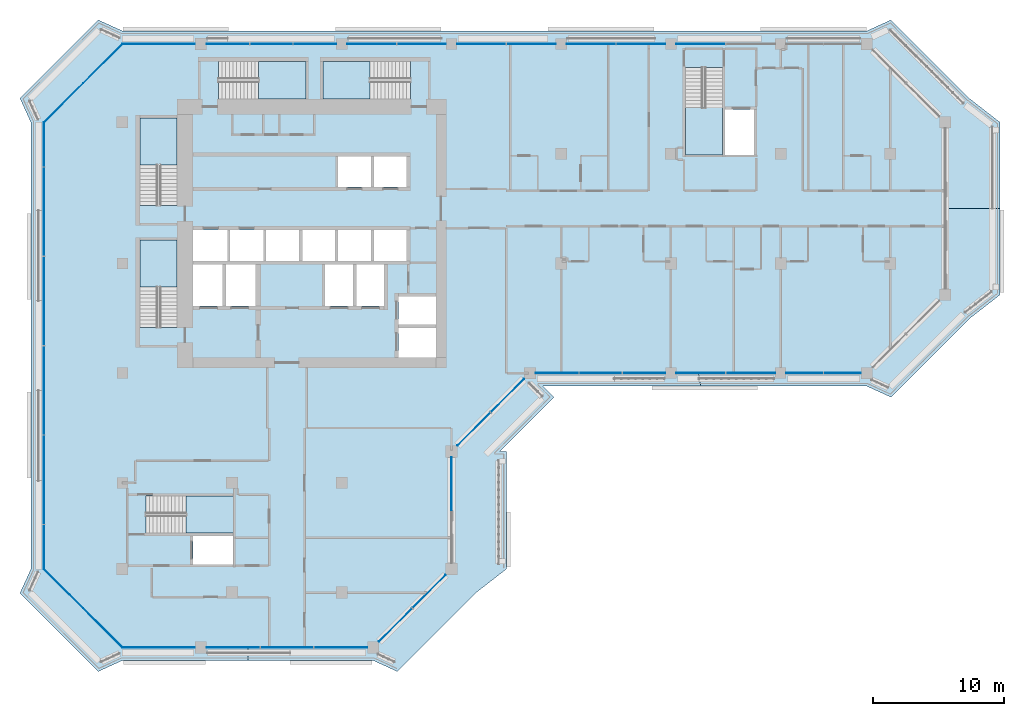
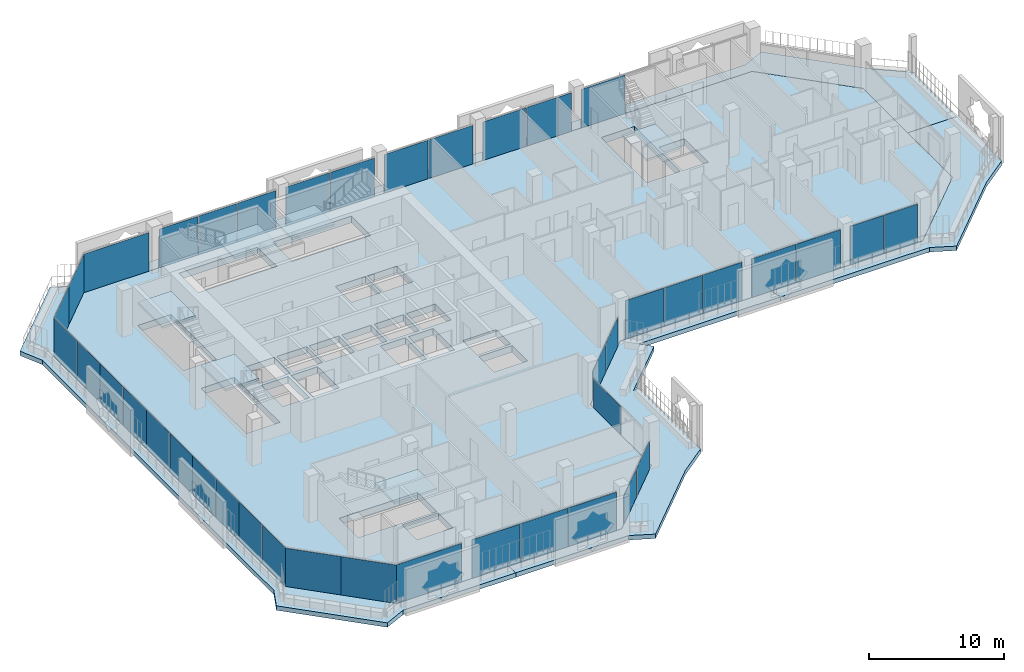
# One storey, part 8 of 23: 41 plates, 10 slabs, 15 elements without a shape of their own.
"""IFC4 building model written with IfcOpenShell, lengths in metres."""

from ifc_helpers import new_model, si_unit, direction, frame, origin, origin_2d, place, context, subcontext, project, spatial, polyline, rectangle, outline, extrude, material, layer, layer_set, type_object, element, aggregate, save


model = new_model("IFC4")

# Units and contexts
model_context = context("Model", 3, precision=1e-05, world=origin(), true_north=direction((0.0, 1.0)))
body_context = subcontext(model_context, "Body", "Model", "MODEL_VIEW")
ifc_project = project(units=[si_unit("LENGTHUNIT", "METRE"), si_unit("AREAUNIT", "SQUARE_METRE"), si_unit("VOLUMEUNIT", "CUBIC_METRE"), si_unit("PLANEANGLEUNIT", "RADIAN"), si_unit("MASSUNIT", "GRAM", prefix="KILO")], contexts=[model_context])

# Site, building, storey
site_placement = place(None, origin())
site = spatial("IfcSite", under=ifc_project, at=site_placement, CompositionType="ELEMENT")
building_placement = place(site_placement, origin())
building = spatial("IfcBuilding", under=site, at=building_placement, Name="Kawkab Arch Medical Tower", CompositionType="ELEMENT")
storey_placement = place(building_placement, frame((0.0, 0.0, 247.39990234375)))
storey = spatial("IfcBuildingStorey", under=building, at=storey_placement, Name="L57", CompositionType="ELEMENT", Elevation=247.39990234375)

# Curtain wall, plates
ifc_material_1 = material(Name="Bronze anodised aluminium curtain wall frame", Category="aluminium")
ifc_layer_1 = layer(ifc_material_1, 0.159912109375)
ifc_layer_set_1 = layer_set([ifc_layer_1], Name="Bronze anodised aluminium curtain wall frame")
curtain_wall_type_1 = type_object("IfcCurtainWallType", Name="CW1 ward curtain wall", PredefinedType="NOTDEFINED", material=ifc_layer_set_1)
placement_1 = place(storey_placement, origin())
curtain_wall_1 = element("IfcCurtainWall", 1, at=placement_1, inside=storey, type_object=curtain_wall_type_1, Name="CW1 Ward curtain wall R01", PredefinedType="NOTDEFINED")
ifc_material_2 = material(Name="Tinted insulating glass, bronze low-e coating", Category="glass")
ifc_layer_2 = layer(ifc_material_2, 0.031982421875)
ifc_layer_set_2 = layer_set([ifc_layer_2], Name="Tinted insulating glass, bronze low-e coating")
plate_type_1 = type_object("IfcPlateType", Name="CW1 glazing unit 32", PredefinedType="CURTAIN_PANEL", material=ifc_layer_set_2)
plate_1_placement = place(storey_placement, frame((-6.0, -7.695068359375, 0.0), z_axis=(0.0, 0.0, 1.0), x_axis=(0.0, -1.0, 0.0)))
plate_1 = element("IfcPlate", 2, at=plate_1_placement, type_object=plate_type_1, Name="CW1 glazing unit 1.1", PredefinedType="CURTAIN_PANEL", context=body_context, shape_type="SweptSolid", body=[
    extrude(rectangle(XDim=3.389892578125, YDim=0.031982421875, at=origin_2d()), origin(), (0.0, 0.0, 1.0), 3.47998046875),
])
plate_2_placement = place(storey_placement, frame((-6.0, -11.14501953125, 0.0), z_axis=(0.0, 0.0, 1.0), x_axis=(0.0, -1.0, 0.0)))
plate_2 = element("IfcPlate", 3, at=plate_2_placement, type_object=plate_type_1, Name="CW1 glazing unit 1.2", PredefinedType="CURTAIN_PANEL", context=body_context, shape_type="SweptSolid", body=[
    extrude(rectangle(XDim=3.389892578125, YDim=0.031982421875, at=origin_2d()), origin(), (0.0, 0.0, 1.0), 3.47998046875),
])
plate_3_placement = place(storey_placement, frame((-6.0, -14.534912109375, 0.0), z_axis=(0.0, 0.0, 1.0), x_axis=(0.0, -1.0, 0.0)))
plate_3 = element("IfcPlate", 4, at=plate_3_placement, type_object=plate_type_1, Name="CW1 glazing unit 2.1", PredefinedType="CURTAIN_PANEL", context=body_context, shape_type="SweptSolid", body=[
    extrude(rectangle(XDim=3.389892578125, YDim=0.031982421875, at=origin_2d()), origin(), (0.0, 0.0, 1.0), 3.47998046875),
])
plate_4_placement = place(storey_placement, frame((-6.0, -17.985107421875, 0.0), z_axis=(0.0, 0.0, 1.0), x_axis=(0.0, -1.0, 0.0)))
plate_4 = element("IfcPlate", 5, at=plate_4_placement, type_object=plate_type_1, Name="CW1 glazing unit 2.2", PredefinedType="CURTAIN_PANEL", context=body_context, shape_type="SweptSolid", body=[
    extrude(rectangle(XDim=3.389892578125, YDim=0.031982421875, at=origin_2d()), origin(), (0.0, 0.0, 1.0), 3.47998046875),
])
plate_5_placement = place(storey_placement, frame((-6.0, -21.375, 0.0), z_axis=(0.0, 0.0, 1.0), x_axis=(0.0, -1.0, 0.0)))
plate_5 = element("IfcPlate", 6, at=plate_5_placement, type_object=plate_type_1, Name="CW1 glazing unit 3.1", PredefinedType="CURTAIN_PANEL", context=body_context, shape_type="SweptSolid", body=[
    extrude(rectangle(XDim=3.389892578125, YDim=0.031982421875, at=origin_2d()), origin(), (0.0, 0.0, 1.0), 3.47998046875),
])
plate_6_placement = place(storey_placement, frame((-6.0, -24.824951171875, 0.0), z_axis=(0.0, 0.0, 1.0), x_axis=(0.0, -1.0, 0.0)))
plate_6 = element("IfcPlate", 7, at=plate_6_placement, type_object=plate_type_1, Name="CW1 glazing unit 3.2", PredefinedType="CURTAIN_PANEL", context=body_context, shape_type="SweptSolid", body=[
    extrude(rectangle(XDim=3.389892578125, YDim=0.031982421875, at=origin_2d()), origin(), (0.0, 0.0, 1.0), 3.47998046875),
])
plate_7_placement = place(storey_placement, frame((-6.0, -28.215087890625, 0.0), z_axis=(0.0, 0.0, 1.0), x_axis=(0.0, -1.0, 0.0)))
plate_7 = element("IfcPlate", 8, at=plate_7_placement, type_object=plate_type_1, Name="CW1 glazing unit 4.1", PredefinedType="CURTAIN_PANEL", context=body_context, shape_type="SweptSolid", body=[
    extrude(rectangle(XDim=3.389892578125, YDim=0.031982421875, at=origin_2d()), origin(), (0.0, 0.0, 1.0), 3.47998046875),
])
plate_8_placement = place(storey_placement, frame((-6.0, -31.6650390625, 0.0), z_axis=(0.0, 0.0, 1.0), x_axis=(0.0, -1.0, 0.0)))
plate_8 = element("IfcPlate", 9, at=plate_8_placement, type_object=plate_type_1, Name="CW1 glazing unit 4.2", PredefinedType="CURTAIN_PANEL", context=body_context, shape_type="SweptSolid", body=[
    extrude(rectangle(XDim=3.389892578125, YDim=0.031982421875, at=origin_2d()), origin(), (0.0, 0.0, 1.0), 3.47998046875),
])
plate_9_placement = place(storey_placement, frame((-6.0, -35.054931640625, 0.0), z_axis=(0.0, 0.0, 1.0), x_axis=(0.0, -1.0, 0.0)))
plate_9 = element("IfcPlate", 10, at=plate_9_placement, type_object=plate_type_1, Name="CW1 glazing unit 5.1", PredefinedType="CURTAIN_PANEL", context=body_context, shape_type="SweptSolid", body=[
    extrude(rectangle(XDim=3.389892578125, YDim=0.031982421875, at=origin_2d()), origin(), (0.0, 0.0, 1.0), 3.47998046875),
])
plate_10_placement = place(storey_placement, frame((-6.0, -38.5048828125, 0.0), z_axis=(0.0, 0.0, 1.0), x_axis=(0.0, -1.0, 0.0)))
plate_10 = element("IfcPlate", 11, at=plate_10_placement, type_object=plate_type_1, Name="CW1 glazing unit 5.2", PredefinedType="CURTAIN_PANEL", context=body_context, shape_type="SweptSolid", body=[
    extrude(rectangle(XDim=3.389892578125, YDim=0.031982421875, at=origin_2d()), origin(), (0.0, 0.0, 1.0), 3.47998046875),
])
aggregate(curtain_wall_1, [plate_1, plate_2, plate_3, plate_4, plate_5, plate_6, plate_7, plate_8, plate_9, plate_10])

curtain_wall_2 = element("IfcCurtainWall", 12, at=placement_1, inside=storey, type_object=curtain_wall_type_1, Name="CW1 Ward curtain wall R03", PredefinedType="NOTDEFINED")
plate_11_placement = place(storey_placement, frame((2.77490234375, -46.199951171875, 0.0), z_axis=(0.0, 0.0, 1.0), x_axis=(1.0, 0.0, 0.0)))
plate_11 = element("IfcPlate", 13, at=plate_11_placement, type_object=plate_type_1, Name="CW1 glazing unit 1.1", PredefinedType="CURTAIN_PANEL", context=body_context, shape_type="SweptSolid", body=[
    extrude(rectangle(XDim=5.550048828125, YDim=0.031982421875, at=origin_2d()), origin(), (0.0, 0.0, 1.0), 3.47998046875),
])
plate_12_placement = place(storey_placement, frame((8.485107421875, -46.199951171875, 0.0), z_axis=(0.0, 0.0, 1.0), x_axis=(1.0, 0.0, 0.0)))
plate_12 = element("IfcPlate", 14, at=plate_12_placement, type_object=plate_type_1, Name="CW1 glazing unit 2.1", PredefinedType="CURTAIN_PANEL", context=body_context, shape_type="SweptSolid", body=[
    extrude(rectangle(XDim=4.070068359375, YDim=0.031982421875, at=origin_2d()), origin(), (0.0, 0.0, 1.0), 3.47998046875),
])
plate_13_placement = place(storey_placement, frame((12.60009765625, -46.199951171875, 0.0), z_axis=(0.0, 0.0, 1.0), x_axis=(1.0, 0.0, 0.0)))
plate_13 = element("IfcPlate", 15, at=plate_13_placement, type_object=plate_type_1, Name="CW1 glazing unit 2.2", PredefinedType="CURTAIN_PANEL", context=body_context, shape_type="SweptSolid", body=[
    extrude(rectangle(XDim=4.0400390625, YDim=0.031982421875, at=origin_2d()), origin(), (0.0, 0.0, 1.0), 3.47998046875),
])
plate_14_placement = place(storey_placement, frame((16.715087890625, -46.199951171875, 0.0), z_axis=(0.0, 0.0, 1.0), x_axis=(1.0, 0.0, 0.0)))
plate_14 = element("IfcPlate", 16, at=plate_14_placement, type_object=plate_type_1, Name="CW1 glazing unit 2.3", PredefinedType="CURTAIN_PANEL", context=body_context, shape_type="SweptSolid", body=[
    extrude(rectangle(XDim=4.070068359375, YDim=0.031982421875, at=origin_2d()), origin(), (0.0, 0.0, 1.0), 3.47998046875),
])
aggregate(curtain_wall_2, [plate_11, plate_12, plate_13, plate_14])

# Curtain wall, plate
curtain_wall_3 = element("IfcCurtainWall", 17, at=placement_1, inside=storey, type_object=curtain_wall_type_1, Name="CW1 Ward curtain wall R05", PredefinedType="NOTDEFINED")
plate_15_placement = place(storey_placement, frame((25.199951171875, -33.675048828125, 0.0), z_axis=(0.0, 0.0, 1.0), x_axis=(0.0, 1.0, 0.0)))
plate_15 = element("IfcPlate", 18, at=plate_15_placement, type_object=plate_type_1, Name="CW1 glazing unit 1.2", PredefinedType="CURTAIN_PANEL", context=body_context, shape_type="SweptSolid", body=[
    extrude(rectangle(XDim=4.050048828125, YDim=0.031982421875, at=origin_2d()), origin(), (0.0, 0.0, 1.0), 2.580078125),
])
aggregate(curtain_wall_3, [plate_15])

# Curtain wall, plates
curtain_wall_4 = element("IfcCurtainWall", 19, at=placement_1, inside=storey, type_object=curtain_wall_type_1, Name="CW1 Ward curtain wall R07", PredefinedType="NOTDEFINED")
plate_16_placement = place(storey_placement, frame((33.2890625, -25.199951171875, 0.0), z_axis=(0.0, 0.0, 1.0), x_axis=(1.0, 0.0, 0.0)))
plate_16 = element("IfcPlate", 20, at=plate_16_placement, type_object=plate_type_1, Name="CW1 glazing unit 1.1", PredefinedType="CURTAIN_PANEL", context=body_context, shape_type="SweptSolid", body=[
    extrude(rectangle(XDim=3.2783203125, YDim=0.031982421875, at=origin_2d()), origin(), (0.0, 0.0, 1.0), 3.47998046875),
])
plate_17_placement = place(storey_placement, frame((36.612548828125, -25.199951171875, 0.0), z_axis=(0.0, 0.0, 1.0), x_axis=(1.0, 0.0, 0.0)))
plate_17 = element("IfcPlate", 21, at=plate_17_placement, type_object=plate_type_1, Name="CW1 glazing unit 1.2", PredefinedType="CURTAIN_PANEL", context=body_context, shape_type="SweptSolid", body=[
    extrude(rectangle(XDim=3.248291015625, YDim=0.031982421875, at=origin_2d()), origin(), (0.0, 0.0, 1.0), 3.47998046875),
])
plate_18_placement = place(storey_placement, frame((39.935791015625, -25.199951171875, 0.0), z_axis=(0.0, 0.0, 1.0), x_axis=(1.0, 0.0, 0.0)))
plate_18 = element("IfcPlate", 22, at=plate_18_placement, type_object=plate_type_1, Name="CW1 glazing unit 1.3", PredefinedType="CURTAIN_PANEL", context=body_context, shape_type="SweptSolid", body=[
    extrude(rectangle(XDim=3.2783203125, YDim=0.031982421875, at=origin_2d()), origin(), (0.0, 0.0, 1.0), 3.47998046875),
])
plate_19_placement = place(storey_placement, frame((44.297607421875, -25.199951171875, 0.0), z_axis=(0.0, 0.0, 1.0), x_axis=(1.0, 0.0, 0.0)))
plate_19 = element("IfcPlate", 23, at=plate_19_placement, type_object=plate_type_1, Name="CW1 glazing unit 2.1", PredefinedType="CURTAIN_PANEL", context=body_context, shape_type="SweptSolid", body=[
    extrude(rectangle(XDim=3.7451171875, YDim=0.031982421875, at=origin_2d()), origin(), (0.0, 0.0, 1.0), 3.47998046875),
])
plate_20_placement = place(storey_placement, frame((48.1025390625, -25.199951171875, 0.0), z_axis=(0.0, 0.0, 1.0), x_axis=(1.0, 0.0, 0.0)))
plate_20 = element("IfcPlate", 24, at=plate_20_placement, type_object=plate_type_1, Name="CW1 glazing unit 2.2", PredefinedType="CURTAIN_PANEL", context=body_context, shape_type="SweptSolid", body=[
    extrude(rectangle(XDim=3.7451171875, YDim=0.031982421875, at=origin_2d()), origin(), (0.0, 0.0, 1.0), 3.47998046875),
])
plate_21_placement = place(storey_placement, frame((52.2412109375, -25.199951171875, 0.0), z_axis=(0.0, 0.0, 1.0), x_axis=(1.0, 0.0, 0.0)))
plate_21 = element("IfcPlate", 25, at=plate_21_placement, type_object=plate_type_1, Name="CW1 glazing unit 3.1", PredefinedType="CURTAIN_PANEL", context=body_context, shape_type="SweptSolid", body=[
    extrude(rectangle(XDim=2.83251953125, YDim=0.031982421875, at=origin_2d()), origin(), (0.0, 0.0, 1.0), 3.47998046875),
])
plate_22_placement = place(storey_placement, frame((55.1337890625, -25.199951171875, 0.0), z_axis=(0.0, 0.0, 1.0), x_axis=(1.0, 0.0, 0.0)))
plate_22 = element("IfcPlate", 26, at=plate_22_placement, type_object=plate_type_1, Name="CW1 glazing unit 3.2", PredefinedType="CURTAIN_PANEL", context=body_context, shape_type="SweptSolid", body=[
    extrude(rectangle(XDim=2.83251953125, YDim=0.031982421875, at=origin_2d()), origin(), (0.0, 0.0, 1.0), 3.47998046875),
])
aggregate(curtain_wall_4, [plate_16, plate_17, plate_18, plate_19, plate_20, plate_21, plate_22])

curtain_wall_5 = element("IfcCurtainWall", 27, at=placement_1, inside=storey, type_object=curtain_wall_type_1, Name="CW1 Ward curtain wall R11", PredefinedType="NOTDEFINED")
plate_23_placement = place(storey_placement, frame((44.297607421875, 0.0, 0.0), z_axis=(0.0, 0.0, 1.0), x_axis=(-1.0, 0.0, 0.0)))
plate_23 = element("IfcPlate", 28, at=plate_23_placement, type_object=plate_type_1, Name="CW1 glazing unit 2.2", PredefinedType="CURTAIN_PANEL", context=body_context, shape_type="SweptSolid", body=[
    extrude(rectangle(XDim=3.7451171875, YDim=0.031982421875, at=origin_2d()), origin(), (0.0, 0.0, 1.0), 3.47998046875),
])
plate_24_placement = place(storey_placement, frame((39.702392578125, 0.0, 0.0), z_axis=(0.0, 0.0, 1.0), x_axis=(-1.0, 0.0, 0.0)))
plate_24 = element("IfcPlate", 29, at=plate_24_placement, type_object=plate_type_1, Name="CW1 glazing unit 3.1", PredefinedType="CURTAIN_PANEL", context=body_context, shape_type="SweptSolid", body=[
    extrude(rectangle(XDim=3.7451171875, YDim=0.031982421875, at=origin_2d()), origin(), (0.0, 0.0, 1.0), 3.47998046875),
])
plate_25_placement = place(storey_placement, frame((35.8974609375, 0.0, 0.0), z_axis=(0.0, 0.0, 1.0), x_axis=(-1.0, 0.0, 0.0)))
plate_25 = element("IfcPlate", 30, at=plate_25_placement, type_object=plate_type_1, Name="CW1 glazing unit 3.2", PredefinedType="CURTAIN_PANEL", context=body_context, shape_type="SweptSolid", body=[
    extrude(rectangle(XDim=3.7451171875, YDim=0.031982421875, at=origin_2d()), origin(), (0.0, 0.0, 1.0), 3.47998046875),
])
plate_26_placement = place(storey_placement, frame((31.302490234375, 0.0, 0.0), z_axis=(0.0, 0.0, 1.0), x_axis=(-1.0, 0.0, 0.0)))
plate_26 = element("IfcPlate", 31, at=plate_26_placement, type_object=plate_type_1, Name="CW1 glazing unit 4.1", PredefinedType="CURTAIN_PANEL", context=body_context, shape_type="SweptSolid", body=[
    extrude(rectangle(XDim=3.7451171875, YDim=0.031982421875, at=origin_2d()), origin(), (0.0, 0.0, 1.0), 3.47998046875),
])
plate_27_placement = place(storey_placement, frame((27.49755859375, 0.0, 0.0), z_axis=(0.0, 0.0, 1.0), x_axis=(-1.0, 0.0, 0.0)))
plate_27 = element("IfcPlate", 32, at=plate_27_placement, type_object=plate_type_1, Name="CW1 glazing unit 4.2", PredefinedType="CURTAIN_PANEL", context=body_context, shape_type="SweptSolid", body=[
    extrude(rectangle(XDim=3.7451171875, YDim=0.031982421875, at=origin_2d()), origin(), (0.0, 0.0, 1.0), 3.47998046875),
])
plate_28_placement = place(storey_placement, frame((22.902587890625, 0.0, 0.0), z_axis=(0.0, 0.0, 1.0), x_axis=(-1.0, 0.0, 0.0)))
plate_28 = element("IfcPlate", 33, at=plate_28_placement, type_object=plate_type_1, Name="CW1 glazing unit 5.1", PredefinedType="CURTAIN_PANEL", context=body_context, shape_type="SweptSolid", body=[
    extrude(rectangle(XDim=3.7451171875, YDim=0.031982421875, at=origin_2d()), origin(), (0.0, 0.0, 1.0), 3.47998046875),
])
plate_29_placement = place(storey_placement, frame((19.097412109375, 0.0, 0.0), z_axis=(0.0, 0.0, 1.0), x_axis=(-1.0, 0.0, 0.0)))
plate_29 = element("IfcPlate", 34, at=plate_29_placement, type_object=plate_type_1, Name="CW1 glazing unit 5.2", PredefinedType="CURTAIN_PANEL", context=body_context, shape_type="SweptSolid", body=[
    extrude(rectangle(XDim=3.7451171875, YDim=0.031982421875, at=origin_2d()), origin(), (0.0, 0.0, 1.0), 3.47998046875),
])
plate_30_placement = place(storey_placement, frame((14.73583984375, 0.0, 0.0), z_axis=(0.0, 0.0, 1.0), x_axis=(-1.0, 0.0, 0.0)))
plate_30 = element("IfcPlate", 35, at=plate_30_placement, type_object=plate_type_1, Name="CW1 glazing unit 6.1", PredefinedType="CURTAIN_PANEL", context=body_context, shape_type="SweptSolid", body=[
    extrude(rectangle(XDim=3.2783203125, YDim=0.031982421875, at=origin_2d()), origin(), (0.0, 0.0, 1.0), 3.47998046875),
])
plate_31_placement = place(storey_placement, frame((11.41259765625, 0.0, 0.0), z_axis=(0.0, 0.0, 1.0), x_axis=(-1.0, 0.0, 0.0)))
plate_31 = element("IfcPlate", 36, at=plate_31_placement, type_object=plate_type_1, Name="CW1 glazing unit 6.2", PredefinedType="CURTAIN_PANEL", context=body_context, shape_type="SweptSolid", body=[
    extrude(rectangle(XDim=3.248291015625, YDim=0.031982421875, at=origin_2d()), origin(), (0.0, 0.0, 1.0), 3.47998046875),
])
plate_32_placement = place(storey_placement, frame((8.089111328125, 0.0, 0.0), z_axis=(0.0, 0.0, 1.0), x_axis=(-1.0, 0.0, 0.0)))
plate_32 = element("IfcPlate", 37, at=plate_32_placement, type_object=plate_type_1, Name="CW1 glazing unit 6.3", PredefinedType="CURTAIN_PANEL", context=body_context, shape_type="SweptSolid", body=[
    extrude(rectangle(XDim=3.2783203125, YDim=0.031982421875, at=origin_2d()), origin(), (0.0, 0.0, 1.0), 3.47998046875),
])
plate_33_placement = place(storey_placement, frame((2.77490234375, 0.0, 0.0), z_axis=(0.0, 0.0, 1.0), x_axis=(-1.0, 0.0, 0.0)))
plate_33 = element("IfcPlate", 38, at=plate_33_placement, type_object=plate_type_1, Name="CW1 glazing unit 7.1", PredefinedType="CURTAIN_PANEL", context=body_context, shape_type="SweptSolid", body=[
    extrude(rectangle(XDim=5.550048828125, YDim=0.031982421875, at=origin_2d()), origin(), (0.0, 0.0, 1.0), 3.47998046875),
])
aggregate(curtain_wall_5, [plate_23, plate_24, plate_25, plate_26, plate_27, plate_28, plate_29, plate_30, plate_31, plate_32, plate_33])

ifc_material_3 = material(Name="Bronze anodised aluminium curtain wall frame", Category="aluminium")
ifc_layer_3 = layer(ifc_material_3, 0.159912109375)
ifc_layer_set_3 = layer_set([ifc_layer_3], Name="Bronze anodised aluminium curtain wall frame")
curtain_wall_type_2 = type_object("IfcCurtainWallType", Name="CW2 chamfer curtain wall", PredefinedType="NOTDEFINED", material=ifc_layer_set_3)
curtain_wall_6 = element("IfcCurtainWall", 39, at=placement_1, inside=storey, type_object=curtain_wall_type_2, Name="CW2 Chamfer curtain wall R02", PredefinedType="NOTDEFINED")
ifc_material_4 = material(Name="Tinted insulating glass, bronze low-e coating", Category="glass")
ifc_layer_4 = layer(ifc_material_4, 0.031982421875)
ifc_layer_set_4 = layer_set([ifc_layer_4], Name="Tinted insulating glass, bronze low-e coating")
plate_type_2 = type_object("IfcPlateType", Name="CW2 glazing unit 32", PredefinedType="CURTAIN_PANEL", material=ifc_layer_set_4)
plate_34_placement = place(storey_placement, frame((-4.5, -41.699951171875, 0.0), z_axis=(0.0, 0.0, 1.0), x_axis=(0.707106781187, -0.707106781187, 0.0)))
plate_34 = element("IfcPlate", 40, at=plate_34_placement, type_object=plate_type_2, Name="CW2 glazing unit 1.1", PredefinedType="CURTAIN_PANEL", context=body_context, shape_type="SweptSolid", body=[
    extrude(rectangle(XDim=4.24267578125, YDim=0.031982421875, at=origin_2d()), origin(), (0.0, 0.0, 1.0), 3.4599609375),
])
plate_35_placement = place(storey_placement, frame((-1.5, -44.699951171875, 0.0), z_axis=(0.0, 0.0, 1.0), x_axis=(0.707106781187, -0.707106781187, 0.0)))
plate_35 = element("IfcPlate", 41, at=plate_35_placement, type_object=plate_type_2, Name="CW2 glazing unit 2.1", PredefinedType="CURTAIN_PANEL", context=body_context, shape_type="SweptSolid", body=[
    extrude(rectangle(XDim=4.24267578125, YDim=0.031982421875, at=origin_2d()), origin(), (0.0, 0.0, 1.0), 3.4599609375),
])
aggregate(curtain_wall_6, [plate_34, plate_35])

curtain_wall_7 = element("IfcCurtainWall", 42, at=placement_1, inside=storey, type_object=curtain_wall_type_2, Name="CW2 Chamfer curtain wall R04", PredefinedType="NOTDEFINED")
plate_36_placement = place(storey_placement, frame((20.914306640625, -44.485595703125, 0.0), z_axis=(0.0, 0.0, 1.0), x_axis=(0.707106781187, 0.707106781187, 0.0)))
plate_36 = element("IfcPlate", 43, at=plate_36_placement, type_object=plate_type_2, Name="CW2 glazing unit 1.1", PredefinedType="CURTAIN_PANEL", context=body_context, shape_type="SweptSolid", body=[
    extrude(rectangle(XDim=3.576171875, YDim=0.031982421875, at=origin_2d()), origin(), (0.0, 0.0, 1.0), 2.56005859375),
])
plate_37_placement = place(storey_placement, frame((23.485595703125, -41.914306640625, 0.0), z_axis=(0.0, 0.0, 1.0), x_axis=(0.707106781187, 0.707106781187, 0.0)))
plate_37 = element("IfcPlate", 44, at=plate_37_placement, type_object=plate_type_2, Name="CW2 glazing unit 1.2", PredefinedType="CURTAIN_PANEL", context=body_context, shape_type="SweptSolid", body=[
    extrude(rectangle(XDim=3.576171875, YDim=0.031982421875, at=origin_2d()), origin(), (0.0, 0.0, 1.0), 2.56005859375),
])
aggregate(curtain_wall_7, [plate_36, plate_37])

curtain_wall_8 = element("IfcCurtainWall", 45, at=placement_1, inside=storey, type_object=curtain_wall_type_2, Name="CW2 Chamfer curtain wall R06", PredefinedType="NOTDEFINED")
plate_38_placement = place(storey_placement, frame((26.914306640625, -29.485595703125, 0.0), z_axis=(0.0, 0.0, 1.0), x_axis=(0.707106781187, 0.707106781187, 0.0)))
plate_38 = element("IfcPlate", 46, at=plate_38_placement, type_object=plate_type_2, Name="CW2 glazing unit 1.1", PredefinedType="CURTAIN_PANEL", context=body_context, shape_type="SweptSolid", body=[
    extrude(rectangle(XDim=3.576171875, YDim=0.031982421875, at=origin_2d()), origin(), (0.0, 0.0, 1.0), 2.56005859375),
])
plate_39_placement = place(storey_placement, frame((29.485595703125, -26.914306640625, 0.0), z_axis=(0.0, 0.0, 1.0), x_axis=(0.707106781187, 0.707106781187, 0.0)))
plate_39 = element("IfcPlate", 47, at=plate_39_placement, type_object=plate_type_2, Name="CW2 glazing unit 1.2", PredefinedType="CURTAIN_PANEL", context=body_context, shape_type="SweptSolid", body=[
    extrude(rectangle(XDim=3.576171875, YDim=0.031982421875, at=origin_2d()), origin(), (0.0, 0.0, 1.0), 2.56005859375),
])
aggregate(curtain_wall_8, [plate_38, plate_39])

curtain_wall_9 = element("IfcCurtainWall", 48, at=placement_1, inside=storey, type_object=curtain_wall_type_2, Name="CW2 Chamfer curtain wall R12", PredefinedType="NOTDEFINED")
plate_40_placement = place(storey_placement, frame((-1.5, -1.5, 0.0), z_axis=(0.0, 0.0, 1.0), x_axis=(-0.707106781187, -0.707106781187, 0.0)))
plate_40 = element("IfcPlate", 49, at=plate_40_placement, type_object=plate_type_2, Name="CW2 glazing unit 1.1", PredefinedType="CURTAIN_PANEL", context=body_context, shape_type="SweptSolid", body=[
    extrude(rectangle(XDim=4.24267578125, YDim=0.031982421875, at=origin_2d()), origin(), (0.0, 0.0, 1.0), 3.4599609375),
])
plate_41_placement = place(storey_placement, frame((-4.5, -4.5, 0.0), z_axis=(0.0, 0.0, 1.0), x_axis=(-0.707106781187, -0.707106781187, 0.0)))
plate_41 = element("IfcPlate", 50, at=plate_41_placement, type_object=plate_type_2, Name="CW2 glazing unit 2.1", PredefinedType="CURTAIN_PANEL", context=body_context, shape_type="SweptSolid", body=[
    extrude(rectangle(XDim=4.24267578125, YDim=0.031982421875, at=origin_2d()), origin(), (0.0, 0.0, 1.0), 3.4599609375),
])
aggregate(curtain_wall_9, [plate_40, plate_41])

# Stair, slab
ifc_material_5 = material(Name="Concrete C40/50", Category="concrete")
stair_type = type_object("IfcStairType", Name="Exit stair 1350", PredefinedType="HALF_TURN_STAIR", material=ifc_material_5)
stair_1 = element("IfcStair", 51, at=placement_1, inside=storey, type_object=stair_type, Name="L57 Exit stair ST1", PredefinedType="HALF_TURN_STAIR")
ifc_material_6 = material(Name="Concrete C40/50", Category="concrete")
ifc_layer_5 = layer(ifc_material_6, 0.199951171875)
ifc_layer_set_5 = layer_set([ifc_layer_5], Name="Concrete C40/50")
slab_type_1 = type_object("IfcSlabType", Name="Exit stair landing 200", PredefinedType="LANDING", material=ifc_layer_set_5)
placement_2 = place(storey_placement, frame((0.0, 0.0, 1.900146484375)))
slab_1 = element("IfcSlab", 52, at=placement_2, type_object=slab_type_1, Name="ST1 landing 1", PredefinedType="LANDING", context=body_context, shape_type="SweptSolid", body=[
    extrude(outline(polyline([(4.199951171875, -9.27001953125), (4.199951171875, -5.64990234375), (1.35009765625, -5.64990234375), (1.35009765625, -9.27001953125), (4.199951171875, -9.27001953125)])), origin(), (0.0, 0.0, 1.0), 0.199951171875),
])
aggregate(stair_1, [slab_1])

stair_2 = element("IfcStair", 53, at=placement_1, inside=storey, type_object=stair_type, Name="L57 Exit stair ST2", PredefinedType="HALF_TURN_STAIR")
slab_2 = element("IfcSlab", 54, at=placement_2, type_object=slab_type_1, Name="ST2 landing 1", PredefinedType="LANDING", context=body_context, shape_type="SweptSolid", body=[
    extrude(outline(polyline([(4.199951171875, -18.6201171875), (4.199951171875, -15.0), (1.35009765625, -15.0), (1.35009765625, -18.6201171875), (4.199951171875, -18.6201171875)])), origin(), (0.0, 0.0, 1.0), 0.199951171875),
])
aggregate(stair_2, [slab_2])

stair_3 = element("IfcStair", 55, at=placement_1, inside=storey, type_object=stair_type, Name="L57 Exit stair ST3", PredefinedType="HALF_TURN_STAIR")
slab_3 = element("IfcSlab", 56, at=placement_2, type_object=slab_type_1, Name="ST3 landing 1", PredefinedType="LANDING", context=body_context, shape_type="SweptSolid", body=[
    extrude(outline(polyline([(10.429931640625, -4.199951171875), (14.050048828125, -4.199951171875), (14.050048828125, -1.35009765625), (10.429931640625, -1.35009765625), (10.429931640625, -4.199951171875)])), origin(), (0.0, 0.0, 1.0), 0.199951171875),
])
aggregate(stair_3, [slab_3])

stair_4 = element("IfcStair", 57, at=placement_1, inside=storey, type_object=stair_type, Name="L57 Exit stair ST4", PredefinedType="HALF_TURN_STAIR")
slab_4 = element("IfcSlab", 58, at=placement_2, type_object=slab_type_1, Name="ST4 landing 1", PredefinedType="LANDING", context=body_context, shape_type="SweptSolid", body=[
    extrude(outline(polyline([(18.969970703125, -1.35009765625), (15.35009765625, -1.35009765625), (15.35009765625, -4.199951171875), (18.969970703125, -4.199951171875), (18.969970703125, -1.35009765625)])), origin(), (0.0, 0.0, 1.0), 0.199951171875),
])
aggregate(stair_4, [slab_4])

stair_5 = element("IfcStair", 59, at=placement_1, inside=storey, type_object=stair_type, Name="L57 Exit stair ST5", PredefinedType="HALF_TURN_STAIR")
slab_5 = element("IfcSlab", 60, at=placement_2, type_object=slab_type_1, Name="ST5 landing 1", PredefinedType="LANDING", context=body_context, shape_type="SweptSolid", body=[
    extrude(outline(polyline([(43.10009765625, -4.8798828125), (43.10009765625, -8.5), (45.949951171875, -8.5), (45.949951171875, -4.8798828125), (43.10009765625, -4.8798828125)])), origin(), (0.0, 0.0, 1.0), 0.199951171875),
])
aggregate(stair_5, [slab_5])

stair_6 = element("IfcStair", 61, at=placement_1, inside=storey, type_object=stair_type, Name="L57 Exit stair ST6", PredefinedType="HALF_TURN_STAIR")
slab_6 = element("IfcSlab", 62, at=placement_2, type_object=slab_type_1, Name="ST6 landing 1", PredefinedType="LANDING", context=body_context, shape_type="SweptSolid", body=[
    extrude(outline(polyline([(4.8798828125, -37.449951171875), (8.5, -37.449951171875), (8.5, -34.60009765625), (4.8798828125, -34.60009765625), (4.8798828125, -37.449951171875)])), origin(), (0.0, 0.0, 1.0), 0.199951171875),
])
aggregate(stair_6, [slab_6])

# Slabs
ifc_material_7 = material(Name="Concrete C45/55", Category="concrete")
ifc_layer_6 = layer(ifc_material_7, 0.60009765625)
ifc_layer_set_6 = layer_set([ifc_layer_6], Name="Concrete C45/55")
slab_type_2 = type_object("IfcSlabType", Name="Flat plate 600 C45/55", PredefinedType="FLOOR", material=ifc_layer_set_6)
slab_7_placement = place(storey_placement, frame((0.0, 0.0, -0.599853515625)))
element("IfcSlab", 63, at=slab_7_placement, inside=storey, type_object=slab_type_2, Name="Floor slab L57", PredefinedType="FLOOR", context=body_context, shape_type="SweptSolid", body=[
    extrude(outline(polyline([(0.0, 0.0), (57.0, 0.0), (63.0, -6.0), (63.0, -19.199951171875), (57.0, -25.199951171875), (31.199951171875, -25.199951171875), (25.199951171875, -31.199951171875), (25.199951171875, -40.199951171875), (19.199951171875, -46.199951171875), (0.0, -46.199951171875), (-6.0, -40.199951171875), (-6.0, -6.0), (0.0, 0.0)]), holes=[polyline([(5.425048828125, -37.64990234375), (5.425048828125, -39.85009765625), (8.5, -39.85009765625), (8.5, -37.64990234375), (5.425048828125, -37.64990234375)]), polyline([(8.5, -37.449951171875), (8.5, -34.60009765625), (1.800048828125, -34.60009765625), (1.800048828125, -37.449951171875), (8.5, -37.449951171875)]), polyline([(5.39990234375, -20.050048828125), (7.675048828125, -20.050048828125), (7.675048828125, -16.89990234375), (5.39990234375, -16.89990234375), (5.39990234375, -20.050048828125)]), polyline([(10.199951171875, -20.050048828125), (10.199951171875, -16.89990234375), (7.925048828125, -16.89990234375), (7.925048828125, -20.050048828125), (10.199951171875, -20.050048828125)]), polyline([(4.199951171875, -21.699951171875), (4.199951171875, -15.0), (1.35009765625, -15.0), (1.35009765625, -21.699951171875), (4.199951171875, -21.699951171875)]), polyline([(5.39990234375, -16.60009765625), (8.050048828125, -16.60009765625), (8.050048828125, -14.25), (5.39990234375, -14.25), (5.39990234375, -16.60009765625)]), polyline([(8.25, -14.25), (8.25, -16.60009765625), (10.800048828125, -16.60009765625), (10.800048828125, -14.25), (8.25, -14.25)]), polyline([(13.52490234375, -14.25), (11.0, -14.25), (11.0, -16.60009765625), (13.52490234375, -16.60009765625), (13.52490234375, -14.25)]), polyline([(13.77490234375, -14.25), (13.77490234375, -16.60009765625), (16.27490234375, -16.60009765625), (16.27490234375, -14.25), (13.77490234375, -14.25)]), polyline([(4.199951171875, -12.35009765625), (4.199951171875, -5.64990234375), (1.35009765625, -5.64990234375), (1.35009765625, -12.35009765625), (4.199951171875, -12.35009765625)]), polyline([(7.35009765625, -4.199951171875), (14.050048828125, -4.199951171875), (14.050048828125, -1.35009765625), (7.35009765625, -1.35009765625), (7.35009765625, -4.199951171875)]), polyline([(24.0, -21.72509765625), (21.14990234375, -21.72509765625), (21.14990234375, -24.0), (24.0, -24.0), (24.0, -21.72509765625)]), polyline([(24.0, -19.35009765625), (21.14990234375, -19.35009765625), (21.14990234375, -21.47509765625), (24.0, -21.47509765625), (24.0, -19.35009765625)]), polyline([(15.52490234375, -20.050048828125), (17.675048828125, -20.050048828125), (17.675048828125, -16.89990234375), (15.52490234375, -16.89990234375), (15.52490234375, -20.050048828125)]), polyline([(17.925048828125, -16.89990234375), (17.925048828125, -20.050048828125), (20.050048828125, -20.050048828125), (20.050048828125, -16.89990234375), (17.925048828125, -16.89990234375)]), polyline([(16.52490234375, -16.60009765625), (19.02490234375, -16.60009765625), (19.02490234375, -14.25), (16.52490234375, -14.25), (16.52490234375, -16.60009765625)]), polyline([(19.27490234375, -16.60009765625), (21.75, -16.60009765625), (21.75, -14.25), (19.27490234375, -14.25), (19.27490234375, -16.60009765625)]), polyline([(19.050048828125, -8.60009765625), (16.5, -8.60009765625), (16.5, -10.949951171875), (19.050048828125, -10.949951171875), (19.050048828125, -8.60009765625)]), polyline([(19.25, -8.60009765625), (19.25, -10.949951171875), (21.75, -10.949951171875), (21.75, -8.60009765625), (19.25, -8.60009765625)]), polyline([(46.14990234375, -8.5), (48.35009765625, -8.5), (48.35009765625, -5.02490234375), (46.14990234375, -5.02490234375), (46.14990234375, -8.5)]), polyline([(43.10009765625, -1.800048828125), (43.10009765625, -8.5), (45.949951171875, -8.5), (45.949951171875, -1.800048828125), (43.10009765625, -1.800048828125)]), polyline([(22.050048828125, -1.35009765625), (15.35009765625, -1.35009765625), (15.35009765625, -4.199951171875), (22.050048828125, -4.199951171875), (22.050048828125, -1.35009765625)])]), origin(), (0.0, 0.0, 1.0), 0.599853515625),
])
ifc_material_8 = material(Name="Concrete C40/50", Category="concrete")
ifc_layer_7 = layer(ifc_material_8, 0.39990234375)
ifc_layer_set_7 = layer_set([ifc_layer_7], Name="Concrete C40/50")
slab_type_3 = type_object("IfcSlabType", Name="Loggia slab 400", PredefinedType="FLOOR", material=ifc_layer_set_7)
placement_3 = place(storey_placement, frame((0.0, 0.0, -0.39990234375)))
element("IfcSlab", 64, at=placement_3, inside=storey, type_object=slab_type_3, Name="Loggia slab L57.1", PredefinedType="FLOOR", context=body_context, shape_type="SweptSolid", body=[
    extrude(outline(polyline([(9.60009765625, -46.200927734375), (19.199951171875, -46.200927734375), (19.199951171875, -46.199951171875), (25.199951171875, -40.199951171875), (25.199951171875, -31.199951171875), (31.199951171875, -25.199951171875), (44.10009765625, -25.199951171875), (44.2880859375, -26.199951171875), (32.198974609375, -26.199951171875), (33.037109375, -27.0380859375), (28.8759765625, -31.199951171875), (29.39990234375, -31.199951171875), (29.39990234375, -40.199951171875), (27.0380859375, -42.0380859375), (21.0380859375, -48.0380859375), (19.199951171875, -47.199951171875), (9.60009765625, -47.199951171875), (9.60009765625, -46.200927734375)])), origin(), (0.0, 0.0, 1.0), 0.39990234375),
])
element("IfcSlab", 65, at=placement_3, inside=storey, type_object=slab_type_3, Name="Loggia slab L57.2", PredefinedType="FLOOR", context=body_context, shape_type="SweptSolid", body=[
    extrude(outline(polyline([(64.837890625, -21.0380859375), (58.837890625, -27.0380859375), (57.0, -26.199951171875), (44.2890625, -26.199951171875), (44.10009765625, -25.199951171875), (57.0, -25.199951171875), (63.0, -19.199951171875), (63.0009765625, -19.199951171875), (63.0009765625, -12.60009765625), (67.199951171875, -12.60009765625), (67.199951171875, -19.199951171875), (64.837890625, -21.0380859375)])), origin(), (0.0, 0.0, 1.0), 0.39990234375),
])
element("IfcSlab", 66, at=placement_3, inside=storey, type_object=slab_type_3, Name="Loggia slab L57.4", PredefinedType="FLOOR", context=body_context, shape_type="SweptSolid", body=[
    extrude(outline(polyline([(-7.837890625, -42.037109375), (-7.0, -40.199951171875), (-7.0, -6.0), (-7.837890625, -4.1630859375), (-1.8369140625, 1.837890625), (0.0, 1.0), (57.0, 1.0), (58.8369140625, 1.837890625), (64.837890625, -4.162109375), (67.198974609375, -5.9990234375), (67.198974609375, -6.0009765625), (67.199951171875, -6.0009765625), (67.199951171875, -12.59912109375), (67.198974609375, -12.59912109375), (67.198974609375, -12.60009765625), (63.001953125, -12.60009765625), (63.001953125, -12.59912109375), (63.0009765625, -12.59912109375), (63.0009765625, -6.0), (57.0, 0.0009765625), (0.0, 0.0009765625), (-6.0, -6.0), (-6.0, -40.199951171875), (0.0, -46.200927734375), (9.59912109375, -46.200927734375), (9.59912109375, -46.201904296875), (9.60009765625, -46.201904296875), (9.60009765625, -47.198974609375), (9.59912109375, -47.198974609375), (9.59912109375, -47.199951171875), (0.0, -47.199951171875), (-1.8369140625, -48.0380859375), (-7.837890625, -42.037109375)])), origin(), (0.0, 0.0, 1.0), 0.39990234375),
])

save(model, "model.ifc")
